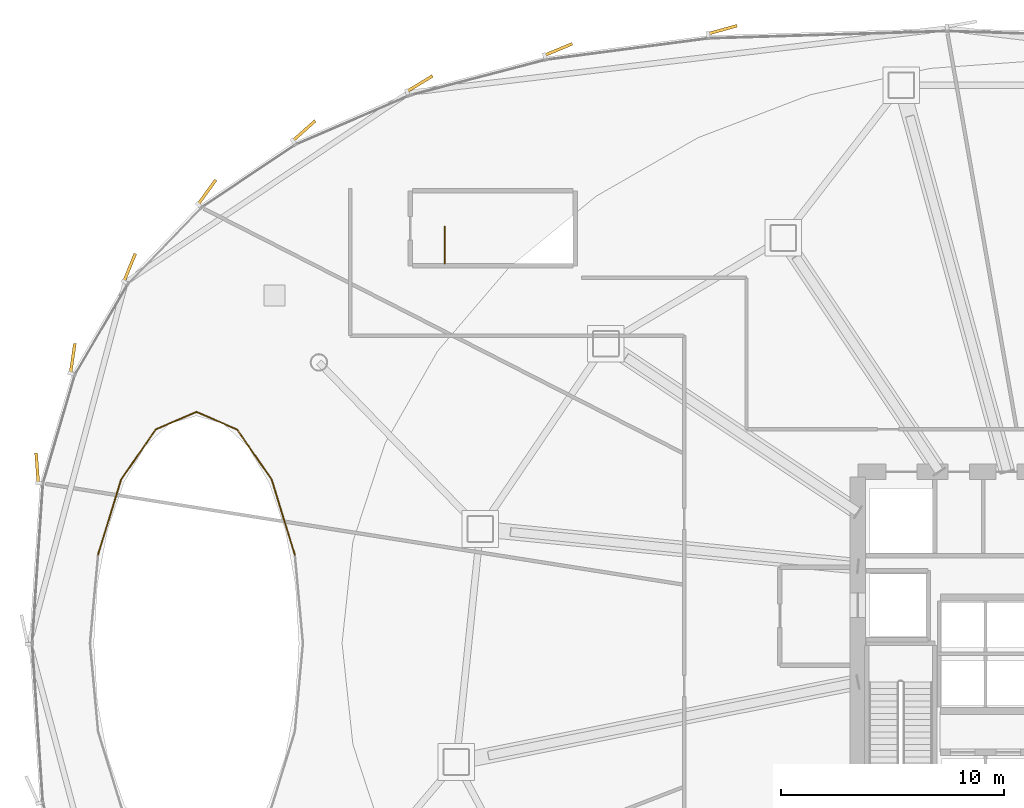
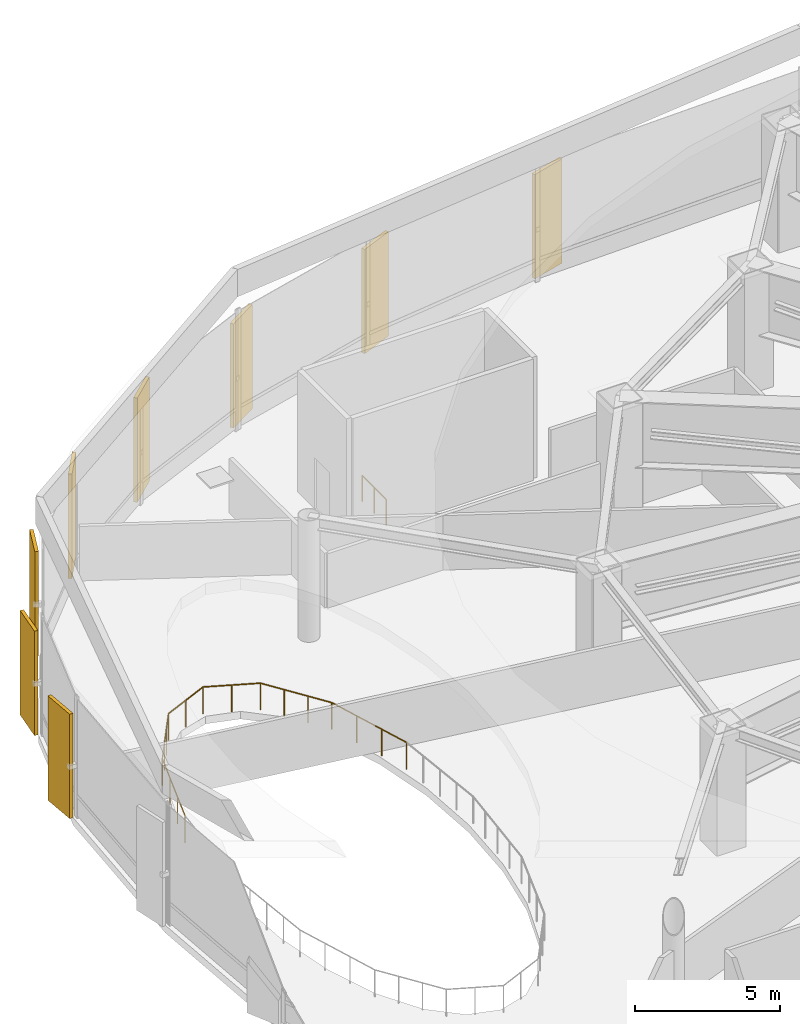
# One storey, part 34 of 36: 8 coverings, 7 railings.
"""IFC4 building model written with IfcOpenShell, lengths in metres."""

from ifc_helpers import new_model, si_unit, direction, frame, origin, origin_2d, place, context, subcontext, project, spatial, rectangle, circle, extrude, source, transform, mapped, material, layer, layer_set, type_object, element, save


model = new_model("IFC4")

# Units and contexts
model_context = context("Model", 3, precision=1e-05, world=origin(), true_north=direction((0.0, 1.0)))
body_context = subcontext(model_context, "Body", "Model", "MODEL_VIEW")
ifc_project = project(units=[si_unit("LENGTHUNIT", "METRE"), si_unit("AREAUNIT", "SQUARE_METRE"), si_unit("VOLUMEUNIT", "CUBIC_METRE"), si_unit("PLANEANGLEUNIT", "RADIAN"), si_unit("MASSUNIT", "GRAM", prefix="KILO"), si_unit("THERMODYNAMICTEMPERATUREUNIT", "KELVIN")], contexts=[model_context])

# Site, building, storey
site_placement = place(None, origin())
site = spatial("IfcSite", under=ifc_project, at=site_placement, CompositionType="ELEMENT")
building_placement = place(site_placement, origin())
building = spatial("IfcBuilding", under=site, at=building_placement, Name="Kethvar Cultural Tower", CompositionType="ELEMENT")
storey_placement = place(building_placement, frame((0.0, 0.0, 24.0)))
storey = spatial("IfcBuildingStorey", under=building, at=storey_placement, Name="L05", CompositionType="ELEMENT", Elevation=24.0)

# Railings
ifc_material_1 = material(Name="Steel S355J2", Category="steel")
railing_type_1 = type_object("IfcRailingType", Name="RL-INT-ATRIUM-1150", PredefinedType="BALUSTRADE", material=ifc_material_1)
railing_1_placement = place(storey_placement, frame((12.716064453125, 31.772216796875, 0.0)))
element("IfcRailing", 1, at=railing_1_placement, inside=storey, type_object=railing_type_1, Name="L05 Atrium Void Balustrade 02", PredefinedType="BALUSTRADE", context=body_context, shape_type="SweptSolid", body=[
    extrude(circle(Radius=0.02392578125, at=origin_2d()), frame((0.0, 0.0, 1.1259765625), z_axis=(-0.294066372694, 0.955785001164, 0.0), x_axis=(-0.955785001164, -0.294066372694, 0.0)), (0.0, 0.0, 1.0), 3.5234375),
    extrude(circle(Radius=0.02099609375, at=origin_2d()), origin(), (0.0, 0.0, 1.0), 1.101806640625),
    extrude(circle(Radius=0.02099609375, at=origin_2d()), frame((-0.345458984375, 1.12255859375, 0.0)), (0.0, 0.0, 1.0), 1.101806640625),
    extrude(circle(Radius=0.02099609375, at=origin_2d()), frame((-0.690673828125, 2.2451171875, 0.0)), (0.0, 0.0, 1.0), 1.101806640625),
    extrude(circle(Radius=0.02099609375, at=origin_2d()), frame((-1.0361328125, 3.36767578125, 0.0)), (0.0, 0.0, 1.0), 1.101806640625),
])
railing_2_placement = place(storey_placement, frame((11.679931640625, 35.139892578125, 0.0)))
element("IfcRailing", 2, at=railing_2_placement, inside=storey, type_object=railing_type_1, Name="L05 Atrium Void Balustrade 03", PredefinedType="BALUSTRADE", context=body_context, shape_type="SweptSolid", body=[
    extrude(circle(Radius=0.02392578125, at=origin_2d()), frame((0.0, 0.0, 1.1259765625), z_axis=(-0.567499103601, 0.823374014293, 0.0), x_axis=(-0.823374014293, -0.567499103601, 0.0)), (0.0, 0.0, 1.0), 2.732666015625),
    extrude(circle(Radius=0.02099609375, at=origin_2d()), origin(), (0.0, 0.0, 1.0), 1.101806640625),
    extrude(circle(Radius=0.02099609375, at=origin_2d()), frame((-0.516845703125, 0.75, 0.0)), (0.0, 0.0, 1.0), 1.101806640625),
    extrude(circle(Radius=0.02099609375, at=origin_2d()), frame((-1.033935546875, 1.5, 0.0)), (0.0, 0.0, 1.0), 1.101806640625),
    extrude(circle(Radius=0.02099609375, at=origin_2d()), frame((-1.55078125, 2.25, 0.0)), (0.0, 0.0, 1.0), 1.101806640625),
])
railing_3_placement = place(storey_placement, frame((10.129150390625, 37.389892578125, 0.0)))
element("IfcRailing", 3, at=railing_3_placement, inside=storey, type_object=railing_type_1, Name="L05 Atrium Void Balustrade 04", PredefinedType="BALUSTRADE", context=body_context, shape_type="SweptSolid", body=[
    extrude(circle(Radius=0.02392578125, at=origin_2d()), frame((0.0, 0.0, 1.1259765625), z_axis=(-0.918025861463, 0.396520513574, 0.0), x_axis=(-0.396520513574, -0.918025861463, 0.0)), (0.0, 0.0, 1.0), 1.992431640625),
    extrude(circle(Radius=0.02099609375, at=origin_2d()), origin(), (0.0, 0.0, 1.0), 1.101806640625),
    extrude(circle(Radius=0.02099609375, at=origin_2d()), frame((-0.91455078125, 0.39501953125, 0.0)), (0.0, 0.0, 1.0), 1.101806640625),
    extrude(circle(Radius=0.02099609375, at=origin_2d()), frame((-1.8291015625, 0.7900390625, 0.0)), (0.0, 0.0, 1.0), 1.101806640625),
])
railing_4_placement = place(storey_placement, frame((8.300048828125, 38.179931640625, 0.0)))
element("IfcRailing", 4, at=railing_4_placement, inside=storey, type_object=railing_type_1, Name="L05 Atrium Void Balustrade 05", PredefinedType="BALUSTRADE", context=body_context, shape_type="SweptSolid", body=[
    extrude(circle(Radius=0.02392578125, at=origin_2d()), frame((0.0, 0.0, 1.1259765625), z_axis=(-0.918045124076, -0.396475913721, 0.0), x_axis=(0.396475913721, -0.918045124076, 0.0)), (0.0, 0.0, 1.0), 1.99267578125),
    extrude(circle(Radius=0.02099609375, at=origin_2d()), origin(), (0.0, 0.0, 1.0), 1.101806640625),
    extrude(circle(Radius=0.02099609375, at=origin_2d()), frame((-0.91455078125, -0.39501953125, 0.0)), (0.0, 0.0, 1.0), 1.101806640625),
    extrude(circle(Radius=0.02099609375, at=origin_2d()), frame((-1.829345703125, -0.7900390625, 0.0)), (0.0, 0.0, 1.0), 1.101806640625),
])
railing_5_placement = place(storey_placement, frame((6.470703125, 37.389892578125, 0.0)))
element("IfcRailing", 5, at=railing_5_placement, inside=storey, type_object=railing_type_1, Name="L05 Atrium Void Balustrade 06", PredefinedType="BALUSTRADE", context=body_context, shape_type="SweptSolid", body=[
    extrude(circle(Radius=0.02392578125, at=origin_2d()), frame((0.0, 0.0, 1.1259765625), z_axis=(-0.567499103601, -0.823374014293, 0.0), x_axis=(0.823374014293, -0.567499103601, 0.0)), (0.0, 0.0, 1.0), 2.732666015625),
    extrude(circle(Radius=0.02099609375, at=origin_2d()), origin(), (0.0, 0.0, 1.0), 1.101806640625),
    extrude(circle(Radius=0.02099609375, at=origin_2d()), frame((-0.516845703125, -0.75, 0.0)), (0.0, 0.0, 1.0), 1.101806640625),
    extrude(circle(Radius=0.02099609375, at=origin_2d()), frame((-1.033935546875, -1.5, 0.0)), (0.0, 0.0, 1.0), 1.101806640625),
    extrude(circle(Radius=0.02099609375, at=origin_2d()), frame((-1.55078125, -2.25, 0.0)), (0.0, 0.0, 1.0), 1.101806640625),
])
railing_6_placement = place(storey_placement, frame((4.919921875, 35.139892578125, 0.0)))
element("IfcRailing", 6, at=railing_6_placement, inside=storey, type_object=railing_type_1, Name="L05 Atrium Void Balustrade 07", PredefinedType="BALUSTRADE", context=body_context, shape_type="SweptSolid", body=[
    extrude(circle(Radius=0.02392578125, at=origin_2d()), frame((0.0, 0.0, 1.1259765625), z_axis=(-0.294066372694, -0.955785001164, 0.0), x_axis=(0.955785001164, -0.294066372694, 0.0)), (0.0, 0.0, 1.0), 3.5234375),
    extrude(circle(Radius=0.02099609375, at=origin_2d()), origin(), (0.0, 0.0, 1.0), 1.101806640625),
    extrude(circle(Radius=0.02099609375, at=origin_2d()), frame((-0.345458984375, -1.12255859375, 0.0)), (0.0, 0.0, 1.0), 1.101806640625),
    extrude(circle(Radius=0.02099609375, at=origin_2d()), frame((-0.690673828125, -2.2451171875, 0.0)), (0.0, 0.0, 1.0), 1.101806640625),
    extrude(circle(Radius=0.02099609375, at=origin_2d()), frame((-1.0361328125, -3.36767578125, 0.0)), (0.0, 0.0, 1.0), 1.101806640625),
])
railing_type_2 = type_object("IfcRailingType", Name="RL-STAIR-GUARD", PredefinedType="BALUSTRADE", material=ifc_material_1)
railing_7_placement = place(storey_placement, frame((19.449951171875, 44.840087890625, 0.0)))
element("IfcRailing", 7, at=railing_7_placement, inside=storey, type_object=railing_type_2, Name="L05 ST-05 top well guard 1", PredefinedType="BALUSTRADE", context=body_context, shape_type="SweptSolid", body=[
    extrude(circle(Radius=0.02392578125, at=origin_2d()), frame((0.0, 0.0, 1.09619140625), z_axis=(0.0, 1.0, 0.0), x_axis=(-1.0, 0.0, 0.0)), (0.0, 0.0, 1.0), 1.659912109375),
    extrude(circle(Radius=0.02099609375, at=origin_2d()), origin(), (0.0, 0.0, 1.0), 1.072021484375),
    extrude(circle(Radius=0.02099609375, at=origin_2d()), frame((0.0, 0.830078125, 0.0)), (0.0, 0.0, 1.0), 1.072021484375),
    extrude(circle(Radius=0.02099609375, at=origin_2d()), frame((0.0, 1.659912109375, 0.0)), (0.0, 0.0, 1.0), 1.072021484375),
])

# Coverings
ifc_material_2 = material(Name="Extruded Architectural Terracotta", Category="masonry")
ifc_layer = layer(ifc_material_2, 0.135009765625, Name="Extruded Architectural Terracotta", Category="masonry")
ifc_layer_set = layer_set([ifc_layer], Name="Extruded Architectural Terracotta (135 mm)")
covering_type = type_object("IfcCoveringType", Name="Terracotta Facade Fin FIN-04", PredefinedType="CLADDING", material=ifc_layer_set)
shared_shape = source(origin(), body_context, "Body", "SweptSolid", [
    extrude(rectangle(XDim=1.35009765625, YDim=0.135009765625, at=origin_2d()), origin(), (0.0, 0.0, 1.0), 4.39990234375),
])
for number, where, z_axis, x_axis, name in (
    (8, (31.924072265625, 55.336669921875, 0.02001953125), (0.0, 0.0, 1.0), (0.963583796636, 0.267406557249, 0.0), "L05 Vertical Terracotta Fin 2.5"),
    (9, (24.552734375, 54.447998046875, 0.02001953125), (0.0, 0.0, 1.0), (0.922807277859, 0.385261895248, 0.0), "L05 Vertical Terracotta Fin 2.6"),
    (10, (18.32666015625, 52.914306640625, 0.02001953125), (0.0, 0.0, 1.0), (0.854005138885, 0.520264569962, 0.0), "L05 Vertical Terracotta Fin 3.1"),
    (11, (13.13232421875, 50.800537109375, 0.02001953125), (0.0, 0.0, 1.0), (0.745243290547, 0.66679264985, 0.0), "L05 Vertical Terracotta Fin 3.2"),
    (12, (8.775146484375, 48.048095703125, 0.02001953125), (0.0, 0.0, 1.0), (0.586372356736, 0.810041640446, 0.0), "L05 Vertical Terracotta Fin 3.3"),
    (13, (5.3017578125, 44.658935546875, 0.02001953125), (0.0, 0.0, 1.0), (0.378325519707, 0.925672620929, 0.0), "L05 Vertical Terracotta Fin 3.4"),
    (14, (2.74609375, 40.58203125, 0.02001953125), (0.0, 0.0, 1.0), (0.145392350643, 0.989374077068, 0.0), "L05 Vertical Terracotta Fin 3.5"),
    (15, (1.153564453125, 35.6572265625, 0.02001953125), (0.0, 0.0, 1.0), (-0.072541922484, 0.997365364088, 0.0), "L05 Vertical Terracotta Fin 3.6"),
):
    element("IfcCovering", number, at=place(storey_placement, frame(where, z_axis=z_axis, x_axis=x_axis)), inside=storey, type_object=covering_type, Name=name, PredefinedType="CLADDING", context=body_context, shape_type="MappedRepresentation", body=[
        mapped(shared_shape, transform((0.0, 0.0, 0.0), scale=1.0)),
    ])

save(model, "model.ifc")
